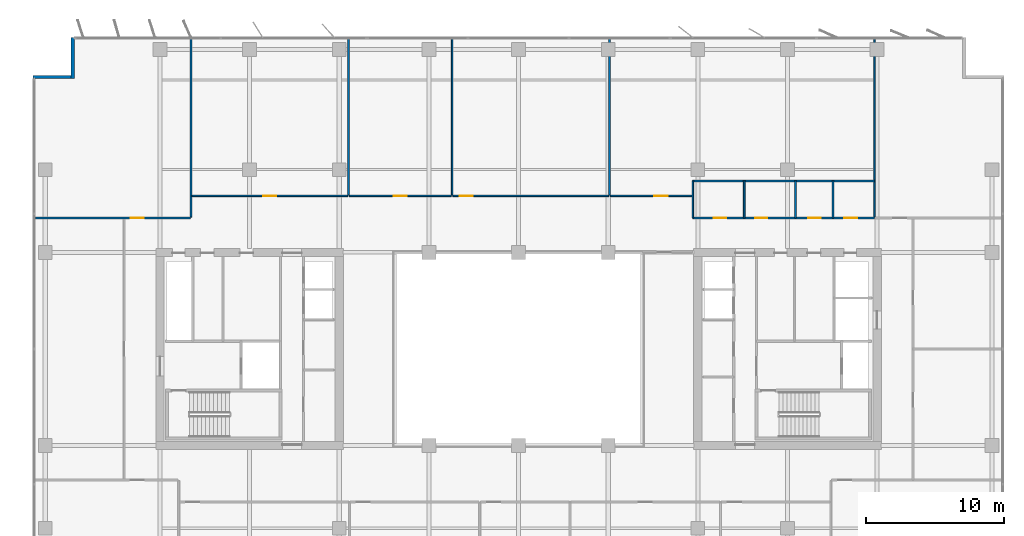
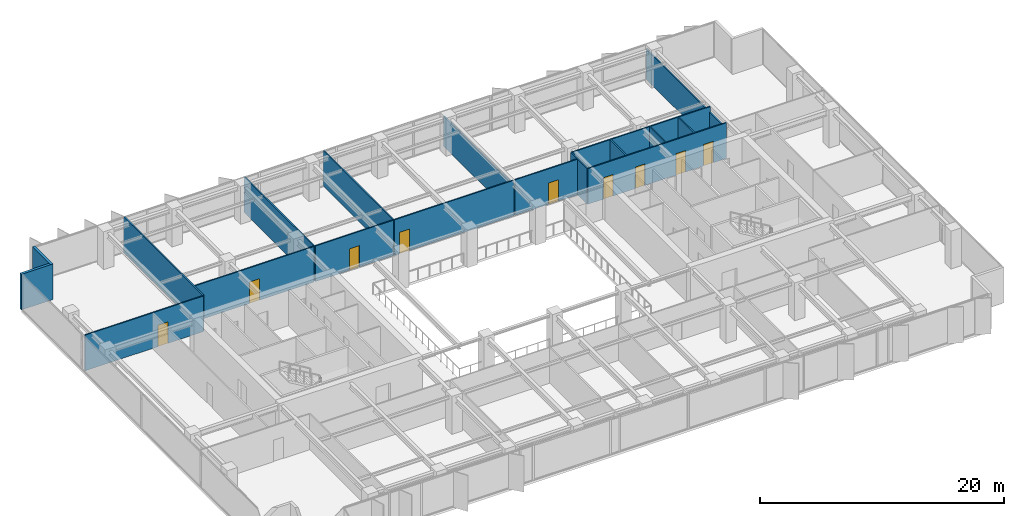
# One storey, part 17 of 22: 18 walls, 9 doors, 9 openings.
"""IFC4 building model written with IfcOpenShell, lengths in metres."""

from ifc_helpers import new_model, si_unit, direction, frame, frame_2d, origin, place, context, subcontext, project, spatial, rectangle, extrude, material, layer, layer_set, type_object, element, fill, save


model = new_model("IFC4")

# Units and contexts
model_context = context("Model", 3, precision=1e-05, world=origin(), true_north=direction((0.0, 1.0)))
body_context = subcontext(model_context, "Body", "Model", "MODEL_VIEW")
ifc_project = project(units=[si_unit("LENGTHUNIT", "METRE"), si_unit("AREAUNIT", "SQUARE_METRE"), si_unit("VOLUMEUNIT", "CUBIC_METRE"), si_unit("PLANEANGLEUNIT", "RADIAN"), si_unit("MASSUNIT", "GRAM", prefix="KILO")], contexts=[model_context])

# Site, building, storey
site_placement = place(None, origin())
site = spatial("IfcSite", under=ifc_project, at=site_placement, CompositionType="ELEMENT")
building_placement = place(site_placement, origin())
building = spatial("IfcBuilding", under=site, at=building_placement, Name="Putna Gate Headquarters", CompositionType="ELEMENT")
storey_placement = place(building_placement, frame((0.0, 0.0, 167.0)))
storey = spatial("IfcBuildingStorey", under=building, at=storey_placement, Name="L41", CompositionType="ELEMENT", Elevation=167.0)

# Walls
ifc_material_1 = material(Name="Precast concrete C40/50", Category="concrete")
ifc_layer_1 = layer(ifc_material_1, 0.239990234375)
ifc_layer_set_1 = layer_set([ifc_layer_1], Name="Precast concrete C40/50")
wall_type_1 = type_object("IfcWallType", Name="WALL-EXT-TERR-240", PredefinedType="STANDARD", material=ifc_layer_set_1)
for number, where, z_axis, x_axis, name in (
    (1, (6.679931640625, 45.60009765625, 0.0), (0.0, 0.0, 1.0), (0.0, 1.0, 0.0), "L41 Corner Notch Return Wall NW-V"),
    (2, (3.800048828125, 45.719970703125, 0.0), (0.0, 0.0, 1.0), (1.0, 0.0, 0.0), "L41 Corner Notch Return Wall NW-H"),
):
    element("IfcWall", number, at=place(storey_placement, frame(where, z_axis=z_axis, x_axis=x_axis)), inside=storey, type_object=wall_type_1, Name=name, PredefinedType="STANDARD", context=body_context, shape_type="SweptSolid", body=[
        extrude(rectangle(XDim=3.0, YDim=0.239990234375, at=frame_2d((1.5, 0.0))), origin(), (0.0, 0.0, 1.0), 3.572021484375),
    ])
ifc_material_2 = material(Name="Acoustic gypsum board on metal stud")
ifc_layer_2 = layer(ifc_material_2, 0.1201171875)
ifc_layer_set_2 = layer_set([ifc_layer_2], Name="Acoustic gypsum board on metal stud")
wall_type_2 = type_object("IfcWallType", Name="WALL-PART-120", PredefinedType="PARTITIONING", material=ifc_layer_set_2)
wall_1_placement = place(storey_placement, frame((15.2548828125, 35.56005859375, 0.0), z_axis=(0.0, 0.0, 1.0), x_axis=(0.0, 1.0, 0.0)))
element("IfcWall", 3, at=wall_1_placement, inside=storey, type_object=wall_type_2, Name="L41 Interior Wall PART-L41-NB-DIV-01", PredefinedType="PARTITIONING", context=body_context, shape_type="SweptSolid", body=[
    extrude(rectangle(XDim=13.02001953125, YDim=0.1201171875, at=frame_2d((6.510009765625, 0.0))), origin(), (0.0, 0.0, 1.0), 3.572021484375),
])
for number, where, z_axis, x_axis, name in (
    (4, (26.669189453125, 37.159912109375, 0.0), (0.0, 0.0, 1.0), (0.0, 1.0, 0.0), "L41 Interior Wall PART-L41-NB-DIV-02"),
    (5, (34.185791015625, 37.159912109375, 0.0), (0.0, 0.0, 1.0), (0.0, 1.0, 0.0), "L41 Interior Wall PART-L41-NB-DIV-03"),
):
    element("IfcWall", number, at=place(storey_placement, frame(where, z_axis=z_axis, x_axis=x_axis)), inside=storey, type_object=wall_type_2, Name=name, PredefinedType="PARTITIONING", context=body_context, shape_type="SweptSolid", body=[
        extrude(rectangle(XDim=11.420166015625, YDim=0.1201171875, at=frame_2d((5.7099609375, 0.0))), origin(), (0.0, 0.0, 1.0), 3.572021484375),
    ])
wall_2_placement = place(storey_placement, frame((45.60009765625, 37.159912109375, 0.0), z_axis=(0.0, 0.0, 1.0), x_axis=(0.0, 1.0, 0.0)))
element("IfcWall", 6, at=wall_2_placement, inside=storey, type_object=wall_type_2, Name="L41 Interior Wall PART-L41-NB-DIV-04", PredefinedType="PARTITIONING", context=body_context, shape_type="SweptSolid", body=[
    extrude(rectangle(XDim=11.420166015625, YDim=0.1201171875, at=frame_2d((5.7099609375, 0.0))), origin(), (0.0, 0.0, 1.0), 3.02197265625),
])
wall_3_placement = place(storey_placement, frame((64.800048828125, 35.56005859375, 0.0), z_axis=(0.0, 0.0, 1.0), x_axis=(0.0, 1.0, 0.0)))
element("IfcWall", 7, at=wall_3_placement, inside=storey, type_object=wall_type_2, Name="L41 Interior Wall PART-L41-NB-DIV-05", PredefinedType="PARTITIONING", context=body_context, shape_type="SweptSolid", body=[
    extrude(rectangle(XDim=13.02001953125, YDim=0.1201171875, at=frame_2d((6.510009765625, 0.0))), origin(), (0.0, 0.0, 1.0), 3.02197265625),
])

# Wall, openings, doors
ifc_material_3 = material(Name="Fire-rated gypsum board on metal stud")
ifc_layer_3 = layer(ifc_material_3, 0.1201171875)
ifc_layer_set_3 = layer_set([ifc_layer_3], Name="Fire-rated gypsum board on metal stud")
wall_type_3 = type_object("IfcWallType", Name="WALL-PART-120-RATED", PredefinedType="PARTITIONING", material=ifc_layer_set_3)
wall_4_placement = place(storey_placement, frame((51.639892578125, 35.5, 0.0), z_axis=(0.0, 0.0, 1.0), x_axis=(1.0, 0.0, 0.0)))
wall_4 = element("IfcWall", 8, at=wall_4_placement, inside=storey, type_object=wall_type_3, Name="L41 Interior Wall PART-L41-SAN-CW", PredefinedType="PARTITIONING", context=body_context, shape_type="SweptSolid", body=[
    extrude(rectangle(XDim=13.16015625, YDim=0.1201171875, at=frame_2d((6.580078125, 0.0))), origin(), (0.0, 0.0, 1.0), 3.572021484375),
])
opening_1_placement = place(wall_4_placement, frame((1.510009765625, 0.0, 0.0)))
opening_1 = element("IfcOpeningElement", 9, at=opening_1_placement, cuts=wall_4, Name="Opening FD-90", PredefinedType="OPENING", context=body_context, shape_type="SweptSolid", body=[
    extrude(rectangle(XDim=0.89990234375, YDim=2.14990234375, at=frame_2d((0.449951171875, 1.074951171875))), frame((0.0, 0.070068359375, 0.0), z_axis=(0.0, -1.0, 0.0), x_axis=(1.0, 0.0, 0.0)), (0.0, 0.0, 1.0), 0.14013671875),
])
opening_2_placement = place(wall_4_placement, frame((4.510009765625, 0.0, 0.0)))
opening_2 = element("IfcOpeningElement", 10, at=opening_2_placement, cuts=wall_4, Name="Opening FD-90", PredefinedType="OPENING", context=body_context, shape_type="SweptSolid", body=[
    extrude(rectangle(XDim=0.89990234375, YDim=2.14990234375, at=frame_2d((0.449951171875, 1.074951171875))), frame((0.0, 0.070068359375, 0.0), z_axis=(0.0, -1.0, 0.0), x_axis=(1.0, 0.0, 0.0)), (0.0, 0.0, 1.0), 0.14013671875),
])
opening_3_placement = place(wall_4_placement, frame((8.360107421875, 0.0, 0.0)))
opening_3 = element("IfcOpeningElement", 11, at=opening_3_placement, cuts=wall_4, Name="Opening FD-90", PredefinedType="OPENING", context=body_context, shape_type="SweptSolid", body=[
    extrude(rectangle(XDim=0.89990234375, YDim=2.14990234375, at=frame_2d((0.449951171875, 1.074951171875))), frame((0.0, 0.070068359375, 0.0), z_axis=(0.0, -1.0, 0.0), x_axis=(1.0, 0.0, 0.0)), (0.0, 0.0, 1.0), 0.14013671875),
])
opening_4_placement = place(wall_4_placement, frame((10.9599609375, 0.0, 0.0)))
opening_4 = element("IfcOpeningElement", 12, at=opening_4_placement, cuts=wall_4, Name="Opening FD-95", PredefinedType="OPENING", context=body_context, shape_type="SweptSolid", body=[
    extrude(rectangle(XDim=0.949951171875, YDim=2.14990234375, at=frame_2d((0.47509765625, 1.074951171875))), frame((0.0, 0.070068359375, 0.0), z_axis=(0.0, -1.0, 0.0), x_axis=(1.0, 0.0, 0.0)), (0.0, 0.0, 1.0), 0.14013671875),
])
ifc_material_4 = material(Name="Acoustic washroom fire door")
door_type_1 = type_object("IfcDoorType", Name="DOOR-FIRE-900", OperationType="NOTDEFINED", PredefinedType="DOOR", material=ifc_material_4)
door_1_placement = place(opening_1_placement, origin())
door_1 = element("IfcDoor", 13, at=door_1_placement, inside=storey, type_object=door_type_1, Name="L41 Washroom Male Door", OperationType="SINGLE_SWING_RIGHT", OverallHeight=2.14990234375, OverallWidth=0.89990234375, PredefinedType="DOOR", context=body_context, shape_type="SweptSolid", body=[
    extrude(rectangle(XDim=0.89990234375, YDim=2.14990234375, at=frame_2d((0.449951171875, 1.074951171875))), frame((0.0, 0.02490234375, 0.0), z_axis=(0.0, -1.0, 0.0), x_axis=(1.0, 0.0, 0.0)), (0.0, 0.0, 1.0), 0.050048828125),
])
fill(opening_1, door_1)
door_2_placement = place(opening_2_placement, origin())
door_2 = element("IfcDoor", 14, at=door_2_placement, inside=storey, type_object=door_type_1, Name="L41 Washroom Female Door", OperationType="SINGLE_SWING_LEFT", OverallHeight=2.14990234375, OverallWidth=0.89990234375, PredefinedType="DOOR", context=body_context, shape_type="SweptSolid", body=[
    extrude(rectangle(XDim=0.89990234375, YDim=2.14990234375, at=frame_2d((0.449951171875, 1.074951171875))), frame((0.0, 0.02490234375, 0.0), z_axis=(0.0, -1.0, 0.0), x_axis=(1.0, 0.0, 0.0)), (0.0, 0.0, 1.0), 0.050048828125),
])
fill(opening_2, door_2)
door_3_placement = place(opening_3_placement, origin())
door_3 = element("IfcDoor", 15, at=door_3_placement, inside=storey, type_object=door_type_1, Name="L41 Accessible WC Door", OperationType="SINGLE_SWING_RIGHT", OverallHeight=2.14990234375, OverallWidth=0.89990234375, PredefinedType="DOOR", context=body_context, shape_type="SweptSolid", body=[
    extrude(rectangle(XDim=0.89990234375, YDim=2.14990234375, at=frame_2d((0.449951171875, 1.074951171875))), frame((0.0, 0.02490234375, 0.0), z_axis=(0.0, -1.0, 0.0), x_axis=(1.0, 0.0, 0.0)), (0.0, 0.0, 1.0), 0.050048828125),
])
fill(opening_3, door_3)
ifc_material_5 = material(Name="Acoustic timber fire door", Category="wood")
door_type_2 = type_object("IfcDoorType", Name="DOOR-FIRE-950", OperationType="NOTDEFINED", PredefinedType="DOOR", material=ifc_material_5)
door_4_placement = place(opening_4_placement, origin())
door_4 = element("IfcDoor", 16, at=door_4_placement, inside=storey, type_object=door_type_2, Name="L41 Staff Pantry and Tea Point Door", OperationType="SINGLE_SWING_LEFT", OverallHeight=2.14990234375, OverallWidth=0.949951171875, PredefinedType="DOOR", context=body_context, shape_type="SweptSolid", body=[
    extrude(rectangle(XDim=0.949951171875, YDim=2.14990234375, at=frame_2d((0.47509765625, 1.074951171875))), frame((0.0, 0.02490234375, 0.0), z_axis=(0.0, -1.0, 0.0), x_axis=(1.0, 0.0, 0.0)), (0.0, 0.0, 1.0), 0.050048828125),
])
fill(opening_4, door_4)

# Walls
wall_5_placement = place(storey_placement, frame((51.639892578125, 38.179931640625, 0.0), z_axis=(0.0, 0.0, 1.0), x_axis=(1.0, 0.0, 0.0)))
element("IfcWall", 17, at=wall_5_placement, inside=storey, type_object=wall_type_3, Name="L41 Interior Wall PART-L41-SAN-BACK", PredefinedType="PARTITIONING", context=body_context, shape_type="SweptSolid", body=[
    extrude(rectangle(XDim=13.16015625, YDim=0.1201171875, at=frame_2d((6.580078125, 0.0))), origin(), (0.0, 0.0, 1.0), 3.572021484375),
])
for number, where, z_axis, x_axis, name in (
    (18, (51.639892578125, 35.5, 0.0), (0.0, 0.0, 1.0), (0.0, 1.0, 0.0), "L41 Interior Wall PART-L41-SAN-DIV-1"),
    (19, (55.360107421875, 35.5, 0.0), (0.0, 0.0, 1.0), (0.0, 1.0, 0.0), "L41 Interior Wall PART-L41-SAN-DIV-2"),
    (20, (59.080078125, 35.5, 0.0), (0.0, 0.0, 1.0), (0.0, 1.0, 0.0), "L41 Interior Wall PART-L41-SAN-DIV-3"),
    (21, (61.800048828125, 35.5, 0.0), (0.0, 0.0, 1.0), (0.0, 1.0, 0.0), "L41 Interior Wall PART-L41-SAN-DIV-4"),
):
    element("IfcWall", number, at=place(storey_placement, frame(where, z_axis=z_axis, x_axis=x_axis)), inside=storey, type_object=wall_type_3, Name=name, PredefinedType="PARTITIONING", context=body_context, shape_type="SweptSolid", body=[
        extrude(rectangle(XDim=2.679931640625, YDim=0.1201171875, at=frame_2d((1.33984375, 0.0))), origin(), (0.0, 0.0, 1.0), 3.572021484375),
    ])

# Wall, opening, door
wall_6_placement = place(storey_placement, frame((3.97998046875, 35.5, 0.0), z_axis=(0.0, 0.0, 1.0), x_axis=(1.0, 0.0, 0.0)))
wall_6 = element("IfcWall", 22, at=wall_6_placement, inside=storey, type_object=wall_type_3, Name="L41 Interior Wall PART-L41-NB-CW-01", PredefinedType="PARTITIONING", context=body_context, shape_type="SweptSolid", body=[
    extrude(rectangle(XDim=11.215087890625, YDim=0.1201171875, at=frame_2d((5.607421875, 0.0))), origin(), (0.0, 0.0, 1.0), 3.572021484375),
])
opening_5_placement = place(wall_6_placement, frame((6.89990234375, 0.0, 0.0)))
opening_5 = element("IfcOpeningElement", 23, at=opening_5_placement, cuts=wall_6, Name="Opening FD-95", PredefinedType="OPENING", context=body_context, shape_type="SweptSolid", body=[
    extrude(rectangle(XDim=0.949951171875, YDim=2.14990234375, at=frame_2d((0.47509765625, 1.074951171875))), frame((0.0, 0.070068359375, 0.0), z_axis=(0.0, -1.0, 0.0), x_axis=(1.0, 0.0, 0.0)), (0.0, 0.0, 1.0), 0.14013671875),
])
door_5_placement = place(opening_5_placement, origin())
door_5 = element("IfcDoor", 24, at=door_5_placement, inside=storey, type_object=door_type_2, Name="L41 Cellular Office 1 Door", OperationType="SINGLE_SWING_RIGHT", OverallHeight=2.14990234375, OverallWidth=0.949951171875, PredefinedType="DOOR", context=body_context, shape_type="SweptSolid", body=[
    extrude(rectangle(XDim=0.949951171875, YDim=2.14990234375, at=frame_2d((0.47509765625, 1.074951171875))), frame((0.0, 0.02490234375, 0.0), z_axis=(0.0, -1.0, 0.0), x_axis=(1.0, 0.0, 0.0)), (0.0, 0.0, 1.0), 0.050048828125),
])
fill(opening_5, door_5)

wall_7_placement = place(storey_placement, frame((15.31494140625, 37.10009765625, 0.0), z_axis=(0.0, 0.0, 1.0), x_axis=(1.0, 0.0, 0.0)))
wall_7 = element("IfcWall", 25, at=wall_7_placement, inside=storey, type_object=wall_type_3, Name="L41 Interior Wall PART-L41-NB-CW-02", PredefinedType="PARTITIONING", context=body_context, shape_type="SweptSolid", body=[
    extrude(rectangle(XDim=11.294189453125, YDim=0.1201171875, at=frame_2d((5.64697265625, 0.0))), origin(), (0.0, 0.0, 1.0), 3.572021484375),
])
opening_6_placement = place(wall_7_placement, frame((5.172119140625, 0.0, 0.0)))
opening_6 = element("IfcOpeningElement", 26, at=opening_6_placement, cuts=wall_7, Name="Opening FD-95", PredefinedType="OPENING", context=body_context, shape_type="SweptSolid", body=[
    extrude(rectangle(XDim=0.949951171875, YDim=2.14990234375, at=frame_2d((0.47509765625, 1.074951171875))), frame((0.0, 0.070068359375, 0.0), z_axis=(0.0, -1.0, 0.0), x_axis=(1.0, 0.0, 0.0)), (0.0, 0.0, 1.0), 0.14013671875),
])
door_6_placement = place(opening_6_placement, origin())
door_6 = element("IfcDoor", 27, at=door_6_placement, inside=storey, type_object=door_type_2, Name="L41 Cellular Office 5 Door", OperationType="SINGLE_SWING_LEFT", OverallHeight=2.14990234375, OverallWidth=0.949951171875, PredefinedType="DOOR", context=body_context, shape_type="SweptSolid", body=[
    extrude(rectangle(XDim=0.949951171875, YDim=2.14990234375, at=frame_2d((0.47509765625, 1.074951171875))), frame((0.0, 0.02490234375, 0.0), z_axis=(0.0, -1.0, 0.0), x_axis=(1.0, 0.0, 0.0)), (0.0, 0.0, 1.0), 0.050048828125),
])
fill(opening_6, door_6)

wall_8_placement = place(storey_placement, frame((26.729248046875, 37.10009765625, 0.0), z_axis=(0.0, 0.0, 1.0), x_axis=(1.0, 0.0, 0.0)))
wall_8 = element("IfcWall", 28, at=wall_8_placement, inside=storey, type_object=wall_type_3, Name="L41 Interior Wall PART-L41-NB-CW-03", PredefinedType="PARTITIONING", context=body_context, shape_type="SweptSolid", body=[
    extrude(rectangle(XDim=7.396484375, YDim=0.1201171875, at=frame_2d((3.6982421875, 0.0))), origin(), (0.0, 0.0, 1.0), 3.572021484375),
])
opening_7_placement = place(wall_8_placement, frame((3.223388671875, 0.0, 0.0)))
opening_7 = element("IfcOpeningElement", 29, at=opening_7_placement, cuts=wall_8, Name="Opening FD-95", PredefinedType="OPENING", context=body_context, shape_type="SweptSolid", body=[
    extrude(rectangle(XDim=0.949951171875, YDim=2.14990234375, at=frame_2d((0.47509765625, 1.074951171875))), frame((0.0, 0.070068359375, 0.0), z_axis=(0.0, -1.0, 0.0), x_axis=(1.0, 0.0, 0.0)), (0.0, 0.0, 1.0), 0.14013671875),
])
door_7_placement = place(opening_7_placement, origin())
door_7 = element("IfcDoor", 30, at=door_7_placement, inside=storey, type_object=door_type_2, Name="L41 Conference Meeting Room 1 Door", OperationType="SINGLE_SWING_RIGHT", OverallHeight=2.14990234375, OverallWidth=0.949951171875, PredefinedType="DOOR", context=body_context, shape_type="SweptSolid", body=[
    extrude(rectangle(XDim=0.949951171875, YDim=2.14990234375, at=frame_2d((0.47509765625, 1.074951171875))), frame((0.0, 0.02490234375, 0.0), z_axis=(0.0, -1.0, 0.0), x_axis=(1.0, 0.0, 0.0)), (0.0, 0.0, 1.0), 0.050048828125),
])
fill(opening_7, door_7)

wall_9_placement = place(storey_placement, frame((34.245849609375, 37.10009765625, 0.0), z_axis=(0.0, 0.0, 1.0), x_axis=(1.0, 0.0, 0.0)))
wall_9 = element("IfcWall", 31, at=wall_9_placement, inside=storey, type_object=wall_type_3, Name="L41 Interior Wall PART-L41-NB-CW-04", PredefinedType="PARTITIONING", context=body_context, shape_type="SweptSolid", body=[
    extrude(rectangle(XDim=11.294189453125, YDim=0.1201171875, at=frame_2d((5.64697265625, 0.0))), origin(), (0.0, 0.0, 1.0), 3.572021484375),
])
opening_8_placement = place(wall_9_placement, frame((0.47998046875, 0.0, 0.0)))
opening_8 = element("IfcOpeningElement", 32, at=opening_8_placement, cuts=wall_9, Name="Opening FD-95", PredefinedType="OPENING", context=body_context, shape_type="SweptSolid", body=[
    extrude(rectangle(XDim=0.949951171875, YDim=2.14990234375, at=frame_2d((0.47509765625, 1.074951171875))), frame((0.0, 0.070068359375, 0.0), z_axis=(0.0, -1.0, 0.0), x_axis=(1.0, 0.0, 0.0)), (0.0, 0.0, 1.0), 0.14013671875),
])
door_8_placement = place(opening_8_placement, origin())
door_8 = element("IfcDoor", 33, at=door_8_placement, inside=storey, type_object=door_type_2, Name="L41 Conference Meeting Room 2 Door", OperationType="SINGLE_SWING_LEFT", OverallHeight=2.14990234375, OverallWidth=0.949951171875, PredefinedType="DOOR", context=body_context, shape_type="SweptSolid", body=[
    extrude(rectangle(XDim=0.949951171875, YDim=2.14990234375, at=frame_2d((0.47509765625, 1.074951171875))), frame((0.0, 0.02490234375, 0.0), z_axis=(0.0, -1.0, 0.0), x_axis=(1.0, 0.0, 0.0)), (0.0, 0.0, 1.0), 0.050048828125),
])
fill(opening_8, door_8)

wall_10_placement = place(storey_placement, frame((45.659912109375, 37.10009765625, 0.0), z_axis=(0.0, 0.0, 1.0), x_axis=(1.0, 0.0, 0.0)))
wall_10 = element("IfcWall", 34, at=wall_10_placement, inside=storey, type_object=wall_type_3, Name="L41 Interior Wall PART-L41-NB-CW-05", PredefinedType="PARTITIONING", context=body_context, shape_type="SweptSolid", body=[
    extrude(rectangle(XDim=5.920166015625, YDim=0.1201171875, at=frame_2d((2.9599609375, 0.0))), origin(), (0.0, 0.0, 1.0), 3.572021484375),
])
opening_9_placement = place(wall_10_placement, frame((3.194091796875, 0.0, 0.0)))
opening_9 = element("IfcOpeningElement", 35, at=opening_9_placement, cuts=wall_10, Name="Opening FD-95", PredefinedType="OPENING", context=body_context, shape_type="SweptSolid", body=[
    extrude(rectangle(XDim=0.949951171875, YDim=2.14990234375, at=frame_2d((0.47509765625, 1.074951171875))), frame((0.0, 0.070068359375, 0.0), z_axis=(0.0, -1.0, 0.0), x_axis=(1.0, 0.0, 0.0)), (0.0, 0.0, 1.0), 0.14013671875),
])
door_9_placement = place(opening_9_placement, origin())
door_9 = element("IfcDoor", 36, at=door_9_placement, inside=storey, type_object=door_type_2, Name="L41 Primary Open Office Workplace Door", OperationType="SINGLE_SWING_RIGHT", OverallHeight=2.14990234375, OverallWidth=0.949951171875, PredefinedType="DOOR", context=body_context, shape_type="SweptSolid", body=[
    extrude(rectangle(XDim=0.949951171875, YDim=2.14990234375, at=frame_2d((0.47509765625, 1.074951171875))), frame((0.0, 0.02490234375, 0.0), z_axis=(0.0, -1.0, 0.0), x_axis=(1.0, 0.0, 0.0)), (0.0, 0.0, 1.0), 0.050048828125),
])
fill(opening_9, door_9)

save(model, "model.ifc")
